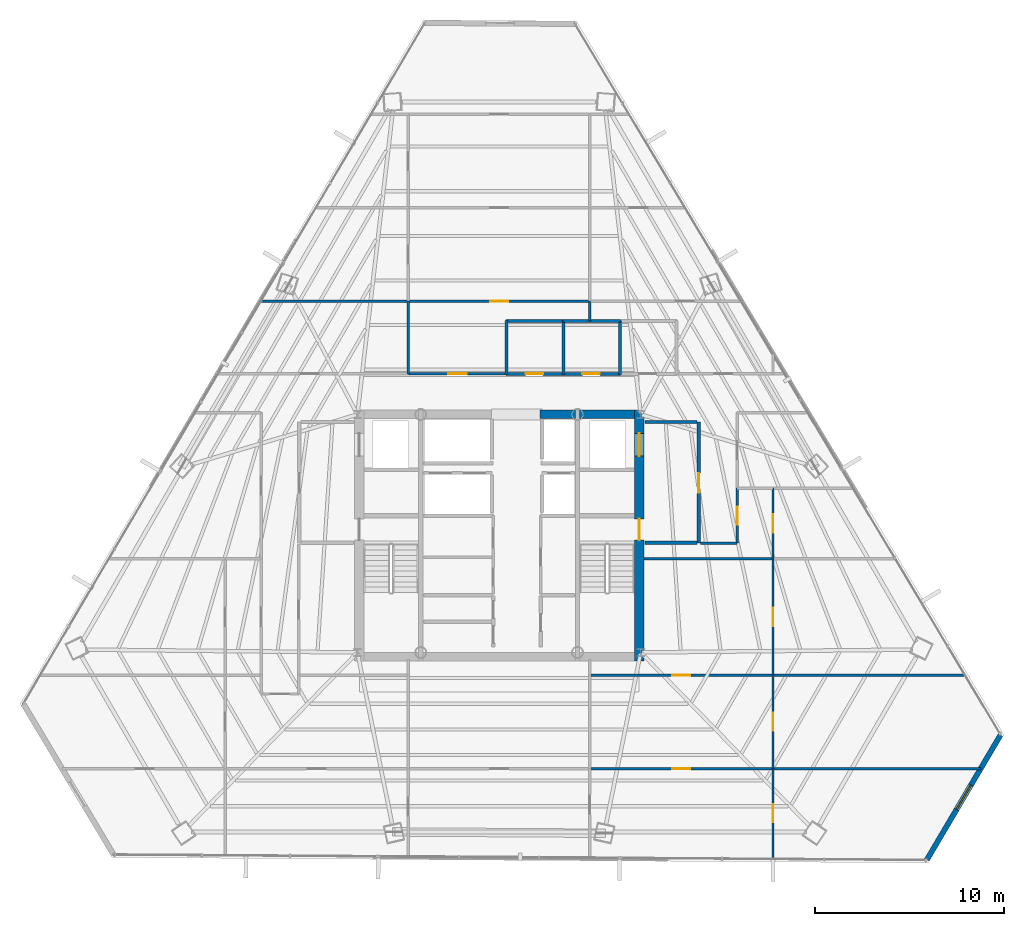
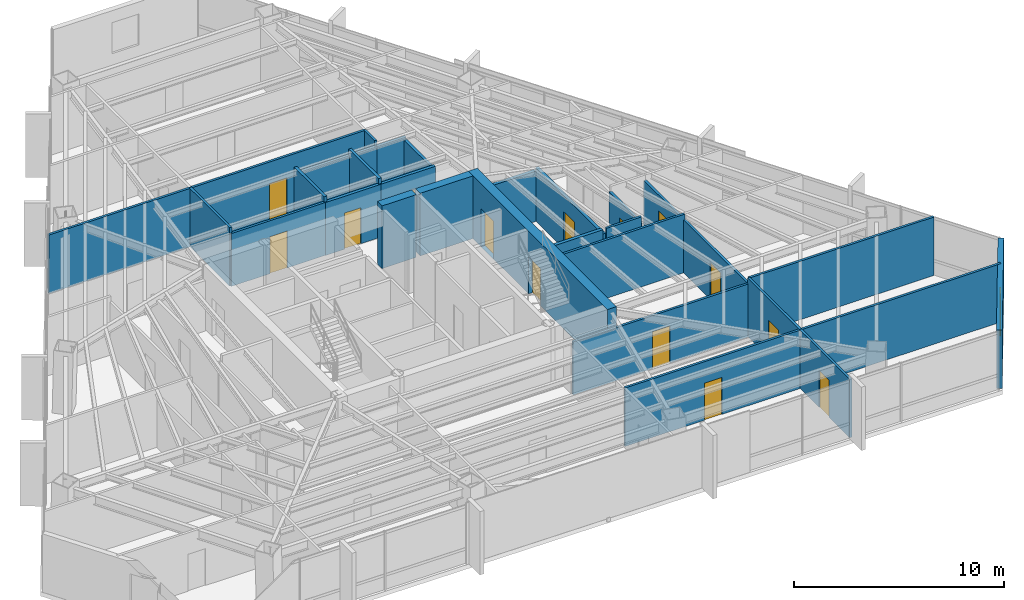
# One storey, part 37 of 41: 31 walls, 14 doors, 1 window, 15 openings.
"""IFC4 building model written with IfcOpenShell, lengths in metres."""

from ifc_helpers import new_model, si_unit, direction, frame, frame_2d, origin, place, context, subcontext, project, spatial, rectangle, extrude, material, layer, layer_set, type_object, element, fill, save


model = new_model("IFC4")

# Units and contexts
model_context = context("Model", 3, precision=1e-05, world=origin(), true_north=direction((0.0, 1.0)))
body_context = subcontext(model_context, "Body", "Model", "MODEL_VIEW")
ifc_project = project(units=[si_unit("LENGTHUNIT", "METRE"), si_unit("AREAUNIT", "SQUARE_METRE"), si_unit("VOLUMEUNIT", "CUBIC_METRE"), si_unit("PLANEANGLEUNIT", "RADIAN"), si_unit("MASSUNIT", "GRAM", prefix="KILO")], contexts=[model_context])

# Site, building, storey
site_placement = place(None, origin())
site = spatial("IfcSite", under=ifc_project, at=site_placement, CompositionType="ELEMENT")
building_placement = place(site_placement, origin())
building = spatial("IfcBuilding", under=site, at=building_placement, Name="Caelisora Broadcast Tower", CompositionType="ELEMENT")
storey_placement = place(building_placement, frame((0.0, 0.0, 180.39990234375)))
storey = spatial("IfcBuildingStorey", under=building, at=storey_placement, Name="L47", CompositionType="ELEMENT", Elevation=180.39990234375)

# Wall, openings, doors
ifc_material_1 = material(Name="Concrete 50 MPa (AS 3600 S50)", Category="concrete")
ifc_layer_1 = layer(ifc_material_1, 0.5, Name="Concrete 50 MPa (AS 3600 S50)")
ifc_layer_set_1 = layer_set([ifc_layer_1], Name="Concrete 50 MPa (AS 3600 S50)")
wall_type_1 = type_object("IfcWallType", Name="CW2", PredefinedType="SHEAR", material=ifc_layer_set_1)
wall_1_placement = place(storey_placement, frame((45.409912109375, 16.949951171875, 0.0), z_axis=(0.0, 0.0, 1.0), x_axis=(0.0, 1.0, 0.0)))
wall_1 = element("IfcWall", 1, at=wall_1_placement, inside=storey, type_object=wall_type_1, Name="L47 core shear wall CW2", PredefinedType="SHEAR", context=body_context, shape_type="SweptSolid", body=[
    extrude(rectangle(XDim=13.275146484375, YDim=0.5, at=frame_2d((6.6376953125, 0.0))), origin(), (0.0, 0.0, 1.0), 3.650146484375),
])
opening_1_placement = place(wall_1_placement, frame((6.39990234375, 0.0, 0.0)))
opening_1 = element("IfcOpeningElement", 2, at=opening_1_placement, cuts=wall_1, Name="Opening FD04", PredefinedType="OPENING", context=body_context, shape_type="SweptSolid", body=[
    extrude(rectangle(XDim=1.1201171875, YDim=2.14990234375, at=frame_2d((0.56005859375, 1.074951171875))), frame((0.0, 0.261962890625, 0.0), z_axis=(0.0, -1.0, 0.0), x_axis=(1.0, 0.0, 0.0)), (0.0, 0.0, 1.0), 0.52392578125),
])
opening_2_placement = place(wall_1_placement, frame((10.85009765625, 0.0, 0.0)))
opening_2 = element("IfcOpeningElement", 3, at=opening_2_placement, cuts=wall_1, Name="Opening LD04", PredefinedType="OPENING", context=body_context, shape_type="SweptSolid", body=[
    extrude(rectangle(XDim=1.199951171875, YDim=2.199951171875, at=frame_2d((0.60009765625, 1.10009765625))), frame((0.0, 0.261962890625, 0.0), z_axis=(0.0, -1.0, 0.0), x_axis=(1.0, 0.0, 0.0)), (0.0, 0.0, 1.0), 0.52392578125),
])
ifc_material_2 = material(Name="Pressurised Fire-Isolated Stair Door", Category="steel")
door_type_1 = type_object("IfcDoorType", Name="FD04", OperationType="NOTDEFINED", PredefinedType="DOOR", material=ifc_material_2)
door_1_placement = place(opening_1_placement, origin())
door_1 = element("IfcDoor", 4, at=door_1_placement, inside=storey, type_object=door_type_1, Name="L47 door FD04 (L47-DR-ST2)", OperationType="SINGLE_SWING_RIGHT", OverallHeight=2.14990234375, OverallWidth=1.1201171875, PredefinedType="DOOR", context=body_context, shape_type="SweptSolid", body=[
    extrude(rectangle(XDim=1.1201171875, YDim=2.14990234375, at=frame_2d((0.56005859375, 1.074951171875))), frame((0.0, 0.02490234375, 0.0), z_axis=(0.0, -1.0, 0.0), x_axis=(1.0, 0.0, 0.0)), (0.0, 0.0, 1.0), 0.050048828125),
])
fill(opening_1, door_1)
ifc_material_3 = material(Name="Emergency Firefighting Lift Sliding Landing Door", Category="steel")
door_type_2 = type_object("IfcDoorType", Name="LD04", OperationType="NOTDEFINED", PredefinedType="DOOR", material=ifc_material_3)
door_2_placement = place(opening_2_placement, origin())
door_2 = element("IfcDoor", 5, at=door_2_placement, inside=storey, type_object=door_type_2, Name="L47 door LD04 (L47-LD-FFL2)", OperationType="SLIDING_TO_RIGHT", OverallHeight=2.199951171875, OverallWidth=1.199951171875, PredefinedType="DOOR", context=body_context, shape_type="SweptSolid", body=[
    extrude(rectangle(XDim=1.199951171875, YDim=2.199951171875, at=frame_2d((0.60009765625, 1.10009765625))), frame((0.0, 0.02490234375, 0.0), z_axis=(0.0, -1.0, 0.0), x_axis=(1.0, 0.0, 0.0)), (0.0, 0.0, 1.0), 0.050048828125),
])
fill(opening_2, door_2)

# Walls
ifc_layer_2 = layer(ifc_material_1, 0.449951171875, Name="Concrete 50 MPa (AS 3600 S50)")
ifc_layer_set_2 = layer_set([ifc_layer_2], Name="Concrete 50 MPa (AS 3600 S50)")
wall_type_2 = type_object("IfcWallType", Name="CW5", PredefinedType="SHEAR", material=ifc_layer_set_2)
wall_2_placement = place(storey_placement, frame((40.159912109375, 30.0, 0.0), z_axis=(0.0, 0.0, 1.0), x_axis=(1.0, 0.0, 0.0)))
element("IfcWall", 6, at=wall_2_placement, inside=storey, type_object=wall_type_2, Name="L47 core shear wall CW5", PredefinedType="SHEAR", context=body_context, shape_type="SweptSolid", body=[
    extrude(rectangle(XDim=1.880126953125, YDim=0.449951171875, at=frame_2d((0.93994140625, 0.0))), origin(), (0.0, 0.0, 1.0), 3.650146484375),
])
wall_3_placement = place(storey_placement, frame((42.260009765625, 30.0, 0.0), z_axis=(0.0, 0.0, 1.0), x_axis=(1.0, 0.0, 0.0)))
element("IfcWall", 7, at=wall_3_placement, inside=storey, type_object=wall_type_2, Name="L47 core shear wall CW5", PredefinedType="SHEAR", context=body_context, shape_type="SweptSolid", body=[
    extrude(rectangle(XDim=2.89990234375, YDim=0.449951171875, at=frame_2d((1.449951171875, 0.0))), origin(), (0.0, 0.0, 1.0), 3.650146484375),
])

# Wall, opening, window
ifc_material_4 = material(Name="Insulated Terracotta Spandrel Wall System", Category="masonry")
ifc_layer_3 = layer(ifc_material_4, 0.280029296875, Name="Insulated Terracotta Spandrel Wall System")
ifc_layer_set_3 = layer_set([ifc_layer_3], Name="Insulated Terracotta Spandrel Wall System")
wall_type_3 = type_object("IfcWallType", Name="EW1", PredefinedType="STANDARD", material=ifc_layer_set_3)
wall_4_placement = place(storey_placement, frame((64.541748046875, 13.019287109375, 0.0), z_axis=(0.0, 0.0, 1.0), x_axis=(-0.508178690763, -0.861251657911, 0.0)))
wall_4 = element("IfcWall", 8, at=wall_4_placement, inside=storey, type_object=wall_type_3, Name="L47 exterior envelope wall EW1", PredefinedType="STANDARD", context=body_context, shape_type="SweptSolid", body=[
    extrude(rectangle(XDim=7.649658203125, YDim=0.280029296875, at=frame_2d((3.82470703125, 0.0))), origin(), (0.0, 0.0, 1.0), 3.400146484375),
])
opening_3_placement = place(wall_4_placement, frame((3.070068359375, 0.0, 0.89990234375)))
opening_3 = element("IfcOpeningElement", 9, at=opening_3_placement, cuts=wall_4, Name="Opening W02", PredefinedType="OPENING", context=body_context, shape_type="SweptSolid", body=[
    extrude(rectangle(XDim=1.5, YDim=1.800048828125, at=frame_2d((0.75, 0.89990234375))), frame((0.0, 0.152099609375, 0.0), z_axis=(0.0, -1.0, 0.0), x_axis=(1.0, 0.0, 0.0)), (0.0, 0.0, 1.0), 0.303955078125),
])
ifc_material_5 = material(Name="Double Glazed Terracotta-Framed Vision Window", Category="glass")
window_type = type_object("IfcWindowType", Name="W02", PartitioningType="SINGLE_PANEL", PredefinedType="WINDOW", material=ifc_material_5)
window_placement = place(opening_3_placement, origin())
window = element("IfcWindow", 10, at=window_placement, inside=storey, type_object=window_type, Name="L47 window W02 (L47-WN-CH0)", OverallHeight=1.800048828125, OverallWidth=1.5, PartitioningType="SINGLE_PANEL", PredefinedType="WINDOW", context=body_context, shape_type="SweptSolid", body=[
    extrude(rectangle(XDim=1.5, YDim=1.800048828125, at=frame_2d((0.75, 0.89990234375))), frame((0.0, 0.030029296875, 0.0), z_axis=(0.0, -1.0, 0.0), x_axis=(1.0, 0.0, 0.0)), (0.0, 0.0, 1.0), 0.06005859375),
])
fill(opening_3, window)

# Wall, opening, door
ifc_material_6 = material(Name="Fire-Rated Gypsum Shaft and Compartment Wall", Category="gypsum")
ifc_layer_4 = layer(ifc_material_6, 0.179931640625, Name="Fire-Rated Gypsum Shaft and Compartment Wall")
ifc_layer_set_4 = layer_set([ifc_layer_4], Name="Fire-Rated Gypsum Shaft and Compartment Wall")
wall_type_4 = type_object("IfcWallType", Name="PW2", PredefinedType="PARTITIONING", material=ifc_layer_set_4)
wall_5_placement = place(storey_placement, frame((48.580078125, 23.199951171875, 0.0), z_axis=(0.0, 0.0, 1.0), x_axis=(0.0, 1.0, 0.0)))
wall_5 = element("IfcWall", 11, at=wall_5_placement, inside=storey, type_object=wall_type_4, Name="L47 fire compartment wall PW2", PredefinedType="PARTITIONING", context=body_context, shape_type="SweptSolid", body=[
    extrude(rectangle(XDim=6.400146484375, YDim=0.179931640625, at=frame_2d((3.2001953125, 0.0))), origin(), (0.0, 0.0, 1.0), 3.077880859375),
])
opening_4_placement = place(wall_5_placement, frame((2.64990234375, 0.0, 0.0)))
opening_4 = element("IfcOpeningElement", 12, at=opening_4_placement, cuts=wall_5, Name="Opening FD02", PredefinedType="OPENING", context=body_context, shape_type="SweptSolid", body=[
    extrude(rectangle(XDim=1.050048828125, YDim=2.14990234375, at=frame_2d((0.52490234375, 1.074951171875))), frame((0.0, 0.10205078125, 0.0), z_axis=(0.0, -1.0, 0.0), x_axis=(1.0, 0.0, 0.0)), (0.0, 0.0, 1.0), 0.203857421875),
])
ifc_material_7 = material(Name="Single-Leaf Steel Fire Lobby Door", Category="steel")
door_type_3 = type_object("IfcDoorType", Name="FD02", OperationType="NOTDEFINED", PredefinedType="DOOR", material=ifc_material_7)
door_3_placement = place(opening_4_placement, origin())
door_3 = element("IfcDoor", 13, at=door_3_placement, inside=storey, type_object=door_type_3, Name="L47 door FD02 (L47-DR-P04D1)", OperationType="SINGLE_SWING_RIGHT", OverallHeight=2.14990234375, OverallWidth=1.050048828125, PredefinedType="DOOR", context=body_context, shape_type="SweptSolid", body=[
    extrude(rectangle(XDim=1.050048828125, YDim=2.14990234375, at=frame_2d((0.52490234375, 1.074951171875))), frame((0.0, 0.02490234375, 0.0), z_axis=(0.0, -1.0, 0.0), x_axis=(1.0, 0.0, 0.0)), (0.0, 0.0, 1.0), 0.050048828125),
])
fill(opening_4, door_3)

# Walls
wall_6_placement = place(storey_placement, frame((45.719970703125, 23.199951171875, 0.0), z_axis=(0.0, 0.0, 1.0), x_axis=(1.0, 0.0, 0.0)))
element("IfcWall", 14, at=wall_6_placement, inside=storey, type_object=wall_type_4, Name="L47 fire compartment wall PW2", PredefinedType="PARTITIONING", context=body_context, shape_type="SweptSolid", body=[
    extrude(rectangle(XDim=2.760009765625, YDim=0.179931640625, at=frame_2d((1.3798828125, 0.0))), origin(), (0.0, 0.0, 1.0), 3.400146484375),
])
wall_7_placement = place(storey_placement, frame((45.719970703125, 29.60009765625, 0.0), z_axis=(0.0, 0.0, 1.0), x_axis=(1.0, 0.0, 0.0)))
element("IfcWall", 15, at=wall_7_placement, inside=storey, type_object=wall_type_4, Name="L47 fire compartment wall PW2", PredefinedType="PARTITIONING", context=body_context, shape_type="SweptSolid", body=[
    extrude(rectangle(XDim=2.760009765625, YDim=0.179931640625, at=frame_2d((1.3798828125, 0.0))), origin(), (0.0, 0.0, 1.0), 2.9248046875),
])
ifc_material_8 = material(Name="Acoustic Steel-Stud Plasterboard Partition", Category="gypsum")
ifc_layer_5 = layer(ifc_material_8, 0.1298828125, Name="Acoustic Steel-Stud Plasterboard Partition")
ifc_layer_set_5 = layer_set([ifc_layer_5], Name="Acoustic Steel-Stud Plasterboard Partition")
wall_type_5 = type_object("IfcWallType", Name="PW3", PredefinedType="PARTITIONING", material=ifc_layer_set_5)
wall_8_placement = place(storey_placement, frame((52.5048828125, 11.25, 0.0), z_axis=(0.0, 0.0, 1.0), x_axis=(1.0, 0.0, 0.0)))
element("IfcWall", 16, at=wall_8_placement, inside=storey, type_object=wall_type_5, Name="L47 internal partition PW3", PredefinedType="PARTITIONING", context=body_context, shape_type="SweptSolid", body=[
    extrude(rectangle(XDim=10.998291015625, YDim=0.1298828125, at=frame_2d((5.4990234375, 0.0))), origin(), (0.0, 0.0, 1.0), 3.400146484375),
])
wall_9_placement = place(storey_placement, frame((52.5048828125, 16.199951171875, 0.0), z_axis=(0.0, 0.0, 1.0), x_axis=(1.0, 0.0, 0.0)))
element("IfcWall", 17, at=wall_9_placement, inside=storey, type_object=wall_type_5, Name="L47 internal partition PW3", PredefinedType="PARTITIONING", context=body_context, shape_type="SweptSolid", body=[
    extrude(rectangle(XDim=10.168212890625, YDim=0.1298828125, at=frame_2d((5.083984375, 0.0))), origin(), (0.0, 0.0, 1.0), 3.400146484375),
])

# Wall, opening, door
wall_10_placement = place(storey_placement, frame((42.804931640625, 11.25, 0.0), z_axis=(0.0, 0.0, 1.0), x_axis=(1.0, 0.0, 0.0)))
wall_10 = element("IfcWall", 18, at=wall_10_placement, inside=storey, type_object=wall_type_5, Name="L47 internal partition PW3", PredefinedType="PARTITIONING", context=body_context, shape_type="SweptSolid", body=[
    extrude(rectangle(XDim=9.690185546875, YDim=0.1298828125, at=frame_2d((4.84521484375, 0.0))), origin(), (0.0, 0.0, 1.0), 3.400146484375),
])
opening_5_placement = place(wall_10_placement, frame((4.364990234375, 0.0, 0.0)))
opening_5 = element("IfcOpeningElement", 19, at=opening_5_placement, cuts=wall_10, Name="Opening D01", PredefinedType="OPENING", context=body_context, shape_type="SweptSolid", body=[
    extrude(rectangle(XDim=0.9599609375, YDim=2.14990234375, at=frame_2d((0.47998046875, 1.074951171875))), frame((0.0, 0.076904296875, 0.0), z_axis=(0.0, -1.0, 0.0), x_axis=(1.0, 0.0, 0.0)), (0.0, 0.0, 1.0), 0.15380859375),
])
ifc_material_9 = material(Name="Solid-Core Timber Acoustic Office Door", Category="wood")
door_type_4 = type_object("IfcDoorType", Name="D01", OperationType="NOTDEFINED", PredefinedType="DOOR", material=ifc_material_9)
door_4_placement = place(opening_5_placement, origin())
door_4 = element("IfcDoor", 20, at=door_4_placement, inside=storey, type_object=door_type_4, Name="L47 door D01 (L47-DR-P34D1)", OperationType="SINGLE_SWING_RIGHT", OverallHeight=2.14990234375, OverallWidth=0.9599609375, PredefinedType="DOOR", context=body_context, shape_type="SweptSolid", body=[
    extrude(rectangle(XDim=0.9599609375, YDim=2.14990234375, at=frame_2d((0.47998046875, 1.074951171875))), frame((0.0, 0.02490234375, 0.0), z_axis=(0.0, -1.0, 0.0), x_axis=(1.0, 0.0, 0.0)), (0.0, 0.0, 1.0), 0.050048828125),
])
fill(opening_5, door_4)

wall_11_placement = place(storey_placement, frame((42.804931640625, 16.199951171875, 0.0), z_axis=(0.0, 0.0, 1.0), x_axis=(1.0, 0.0, 0.0)))
wall_11 = element("IfcWall", 21, at=wall_11_placement, inside=storey, type_object=wall_type_5, Name="L47 internal partition PW3", PredefinedType="PARTITIONING", context=body_context, shape_type="SweptSolid", body=[
    extrude(rectangle(XDim=9.690185546875, YDim=0.1298828125, at=frame_2d((4.84521484375, 0.0))), origin(), (0.0, 0.0, 1.0), 3.077880859375),
])
opening_6_placement = place(wall_11_placement, frame((4.364990234375, 0.0, 0.0)))
opening_6 = element("IfcOpeningElement", 22, at=opening_6_placement, cuts=wall_11, Name="Opening D01", PredefinedType="OPENING", context=body_context, shape_type="SweptSolid", body=[
    extrude(rectangle(XDim=0.9599609375, YDim=2.14990234375, at=frame_2d((0.47998046875, 1.074951171875))), frame((0.0, 0.076904296875, 0.0), z_axis=(0.0, -1.0, 0.0), x_axis=(1.0, 0.0, 0.0)), (0.0, 0.0, 1.0), 0.15380859375),
])
door_5_placement = place(opening_6_placement, origin())
door_5 = element("IfcDoor", 23, at=door_5_placement, inside=storey, type_object=door_type_4, Name="L47 door D01 (L47-DR-P35D1)", OperationType="SINGLE_SWING_LEFT", OverallHeight=2.14990234375, OverallWidth=0.9599609375, PredefinedType="DOOR", context=body_context, shape_type="SweptSolid", body=[
    extrude(rectangle(XDim=0.9599609375, YDim=2.14990234375, at=frame_2d((0.47998046875, 1.074951171875))), frame((0.0, 0.02490234375, 0.0), z_axis=(0.0, -1.0, 0.0), x_axis=(1.0, 0.0, 0.0)), (0.0, 0.0, 1.0), 0.050048828125),
])
fill(opening_6, door_5)

wall_12_placement = place(storey_placement, frame((33.205078125, 35.989990234375, 0.0), z_axis=(0.0, 0.0, 1.0), x_axis=(1.0, 0.0, 0.0)))
wall_12 = element("IfcWall", 24, at=wall_12_placement, inside=storey, type_object=wall_type_5, Name="L47 internal partition PW3", PredefinedType="PARTITIONING", context=body_context, shape_type="SweptSolid", body=[
    extrude(rectangle(XDim=9.58984375, YDim=0.1298828125, at=frame_2d((4.794921875, 0.0))), origin(), (0.0, 0.0, 1.0), 3.400146484375),
])
opening_7_placement = place(wall_12_placement, frame((4.31494140625, 0.0, 0.0)))
opening_7 = element("IfcOpeningElement", 25, at=opening_7_placement, cuts=wall_12, Name="Opening D01", PredefinedType="OPENING", context=body_context, shape_type="SweptSolid", body=[
    extrude(rectangle(XDim=0.9599609375, YDim=2.14990234375, at=frame_2d((0.47998046875, 1.074951171875))), frame((0.0, 0.076904296875, 0.0), z_axis=(0.0, -1.0, 0.0), x_axis=(1.0, 0.0, 0.0)), (0.0, 0.0, 1.0), 0.15380859375),
])
door_6_placement = place(opening_7_placement, origin())
door_6 = element("IfcDoor", 26, at=door_6_placement, inside=storey, type_object=door_type_4, Name="L47 door D01 (L47-DR-P39D1)", OperationType="SINGLE_SWING_LEFT", OverallHeight=2.14990234375, OverallWidth=0.9599609375, PredefinedType="DOOR", context=body_context, shape_type="SweptSolid", body=[
    extrude(rectangle(XDim=0.9599609375, YDim=2.14990234375, at=frame_2d((0.47998046875, 1.074951171875))), frame((0.0, 0.02490234375, 0.0), z_axis=(0.0, -1.0, 0.0), x_axis=(1.0, 0.0, 0.0)), (0.0, 0.0, 1.0), 0.050048828125),
])
fill(opening_7, door_6)

# Walls
wall_13_placement = place(storey_placement, frame((25.37548828125, 35.989990234375, 0.0), z_axis=(0.0, 0.0, 1.0), x_axis=(1.0, 0.0, 0.0)))
element("IfcWall", 27, at=wall_13_placement, inside=storey, type_object=wall_type_5, Name="L47 internal partition PW3", PredefinedType="PARTITIONING", context=body_context, shape_type="SweptSolid", body=[
    extrude(rectangle(XDim=7.819580078125, YDim=0.1298828125, at=frame_2d((3.90966796875, 0.0))), origin(), (0.0, 0.0, 1.0), 3.400146484375),
])
wall_14_placement = place(storey_placement, frame((45.675048828125, 22.35009765625, 0.0), z_axis=(0.0, 0.0, 1.0), x_axis=(1.0, 0.0, 0.0)))
element("IfcWall", 28, at=wall_14_placement, inside=storey, type_object=wall_type_5, Name="L47 internal partition PW3", PredefinedType="PARTITIONING", context=body_context, shape_type="SweptSolid", body=[
    extrude(rectangle(XDim=6.820068359375, YDim=0.1298828125, at=frame_2d((3.41015625, 0.0))), origin(), (0.0, 0.0, 1.0), 3.400146484375),
])

# Wall, opening, door
wall_15_placement = place(storey_placement, frame((52.5, 16.205078125, 0.0), z_axis=(0.0, 0.0, 1.0), x_axis=(0.0, 1.0, 0.0)))
wall_15 = element("IfcWall", 29, at=wall_15_placement, inside=storey, type_object=wall_type_5, Name="L47 internal partition PW3", PredefinedType="PARTITIONING", context=body_context, shape_type="SweptSolid", body=[
    extrude(rectangle(XDim=6.139892578125, YDim=0.1298828125, at=frame_2d((3.06982421875, 0.0))), origin(), (0.0, 0.0, 1.0), 3.077880859375),
])
opening_8_placement = place(wall_15_placement, frame((2.590087890625, 0.0, 0.0)))
opening_8 = element("IfcOpeningElement", 30, at=opening_8_placement, cuts=wall_15, Name="Opening D01", PredefinedType="OPENING", context=body_context, shape_type="SweptSolid", body=[
    extrude(rectangle(XDim=0.9599609375, YDim=2.14990234375, at=frame_2d((0.47998046875, 1.074951171875))), frame((0.0, 0.076904296875, 0.0), z_axis=(0.0, -1.0, 0.0), x_axis=(1.0, 0.0, 0.0)), (0.0, 0.0, 1.0), 0.15380859375),
])
door_7_placement = place(opening_8_placement, origin())
door_7 = element("IfcDoor", 31, at=door_7_placement, inside=storey, type_object=door_type_4, Name="L47 door D01 (L47-DR-P51D1)", OperationType="SINGLE_SWING_RIGHT", OverallHeight=2.14990234375, OverallWidth=0.9599609375, PredefinedType="DOOR", context=body_context, shape_type="SweptSolid", body=[
    extrude(rectangle(XDim=0.9599609375, YDim=2.14990234375, at=frame_2d((0.47998046875, 1.074951171875))), frame((0.0, 0.02490234375, 0.0), z_axis=(0.0, -1.0, 0.0), x_axis=(1.0, 0.0, 0.0)), (0.0, 0.0, 1.0), 0.050048828125),
])
fill(opening_8, door_7)

wall_16_placement = place(storey_placement, frame((33.205078125, 32.14990234375, 0.0), z_axis=(0.0, 0.0, 1.0), x_axis=(1.0, 0.0, 0.0)))
wall_16 = element("IfcWall", 32, at=wall_16_placement, inside=storey, type_object=wall_type_5, Name="L47 internal partition PW3", PredefinedType="PARTITIONING", context=body_context, shape_type="SweptSolid", body=[
    extrude(rectangle(XDim=5.18994140625, YDim=0.1298828125, at=frame_2d((2.594970703125, 0.0))), origin(), (0.0, 0.0, 1.0), 3.077880859375),
])
opening_9_placement = place(wall_16_placement, frame((2.114990234375, 0.0, 0.0)))
opening_9 = element("IfcOpeningElement", 33, at=opening_9_placement, cuts=wall_16, Name="Opening D01", PredefinedType="OPENING", context=body_context, shape_type="SweptSolid", body=[
    extrude(rectangle(XDim=0.9599609375, YDim=2.14990234375, at=frame_2d((0.47998046875, 1.074951171875))), frame((0.0, 0.076904296875, 0.0), z_axis=(0.0, -1.0, 0.0), x_axis=(1.0, 0.0, 0.0)), (0.0, 0.0, 1.0), 0.15380859375),
])
door_8_placement = place(opening_9_placement, origin())
door_8 = element("IfcDoor", 34, at=door_8_placement, inside=storey, type_object=door_type_4, Name="L47 door D01 (L47-DR-P53D1)", OperationType="SINGLE_SWING_LEFT", OverallHeight=2.14990234375, OverallWidth=0.9599609375, PredefinedType="DOOR", context=body_context, shape_type="SweptSolid", body=[
    extrude(rectangle(XDim=0.9599609375, YDim=2.14990234375, at=frame_2d((0.47998046875, 1.074951171875))), frame((0.0, 0.02490234375, 0.0), z_axis=(0.0, -1.0, 0.0), x_axis=(1.0, 0.0, 0.0)), (0.0, 0.0, 1.0), 0.050048828125),
])
fill(opening_9, door_8)

wall_17_placement = place(storey_placement, frame((52.5, 11.2548828125, 0.0), z_axis=(0.0, 0.0, 1.0), x_axis=(0.0, 1.0, 0.0)))
wall_17 = element("IfcWall", 35, at=wall_17_placement, inside=storey, type_object=wall_type_5, Name="L47 internal partition PW3", PredefinedType="PARTITIONING", context=body_context, shape_type="SweptSolid", body=[
    extrude(rectangle(XDim=4.940185546875, YDim=0.1298828125, at=frame_2d((2.47021484375, 0.0))), origin(), (0.0, 0.0, 1.0), 3.400146484375),
])
opening_10_placement = place(wall_17_placement, frame((1.989990234375, 0.0, 0.0)))
opening_10 = element("IfcOpeningElement", 36, at=opening_10_placement, cuts=wall_17, Name="Opening D01", PredefinedType="OPENING", context=body_context, shape_type="SweptSolid", body=[
    extrude(rectangle(XDim=0.9599609375, YDim=2.14990234375, at=frame_2d((0.47998046875, 1.074951171875))), frame((0.0, 0.076904296875, 0.0), z_axis=(0.0, -1.0, 0.0), x_axis=(1.0, 0.0, 0.0)), (0.0, 0.0, 1.0), 0.15380859375),
])
door_9_placement = place(opening_10_placement, origin())
door_9 = element("IfcDoor", 37, at=door_9_placement, inside=storey, type_object=door_type_4, Name="L47 door D01 (L47-DR-P62D1)", OperationType="SINGLE_SWING_RIGHT", OverallHeight=2.14990234375, OverallWidth=0.9599609375, PredefinedType="DOOR", context=body_context, shape_type="SweptSolid", body=[
    extrude(rectangle(XDim=0.9599609375, YDim=2.14990234375, at=frame_2d((0.47998046875, 1.074951171875))), frame((0.0, 0.02490234375, 0.0), z_axis=(0.0, -1.0, 0.0), x_axis=(1.0, 0.0, 0.0)), (0.0, 0.0, 1.0), 0.050048828125),
])
fill(opening_10, door_9)

wall_18_placement = place(storey_placement, frame((52.5, 6.453857421875, 0.0), z_axis=(0.0, 0.0, 1.0), x_axis=(0.0, 1.0, 0.0)))
wall_18 = element("IfcWall", 38, at=wall_18_placement, inside=storey, type_object=wall_type_5, Name="L47 internal partition PW3", PredefinedType="PARTITIONING", context=body_context, shape_type="SweptSolid", body=[
    extrude(rectangle(XDim=4.791259765625, YDim=0.1298828125, at=frame_2d((2.3955078125, 0.0))), origin(), (0.0, 0.0, 1.0), 3.400146484375),
])
opening_11_placement = place(wall_18_placement, frame((1.9619140625, 0.0, 0.0)))
opening_11 = element("IfcOpeningElement", 39, at=opening_11_placement, cuts=wall_18, Name="Opening D01", PredefinedType="OPENING", context=body_context, shape_type="SweptSolid", body=[
    extrude(rectangle(XDim=0.9599609375, YDim=2.14990234375, at=frame_2d((0.47998046875, 1.074951171875))), frame((0.0, 0.076904296875, 0.0), z_axis=(0.0, -1.0, 0.0), x_axis=(1.0, 0.0, 0.0)), (0.0, 0.0, 1.0), 0.15380859375),
])
door_10_placement = place(opening_11_placement, origin())
door_10 = element("IfcDoor", 40, at=door_10_placement, inside=storey, type_object=door_type_4, Name="L47 door D01 (L47-DR-P65D1)", OperationType="SINGLE_SWING_RIGHT", OverallHeight=2.14990234375, OverallWidth=0.9599609375, PredefinedType="DOOR", context=body_context, shape_type="SweptSolid", body=[
    extrude(rectangle(XDim=0.9599609375, YDim=2.14990234375, at=frame_2d((0.47998046875, 1.074951171875))), frame((0.0, 0.02490234375, 0.0), z_axis=(0.0, -1.0, 0.0), x_axis=(1.0, 0.0, 0.0)), (0.0, 0.0, 1.0), 0.050048828125),
])
fill(opening_11, door_10)

# Wall
wall_19_placement = place(storey_placement, frame((33.199951171875, 32.155029296875, 0.0), z_axis=(0.0, 0.0, 1.0), x_axis=(0.0, 1.0, 0.0)))
element("IfcWall", 41, at=wall_19_placement, inside=storey, type_object=wall_type_5, Name="L47 internal partition PW3", PredefinedType="PARTITIONING", context=body_context, shape_type="SweptSolid", body=[
    extrude(rectangle(XDim=3.830078125, YDim=0.1298828125, at=frame_2d((1.9150390625, 0.0))), origin(), (0.0, 0.0, 1.0), 3.400146484375),
])

# Wall, opening, door
wall_20_placement = place(storey_placement, frame((52.5, 22.35498046875, 0.0), z_axis=(0.0, 0.0, 1.0), x_axis=(0.0, 1.0, 0.0)))
wall_20 = element("IfcWall", 42, at=wall_20_placement, inside=storey, type_object=wall_type_5, Name="L47 internal partition PW3", PredefinedType="PARTITIONING", context=body_context, shape_type="SweptSolid", body=[
    extrude(rectangle(XDim=3.739990234375, YDim=0.1298828125, at=frame_2d((1.8701171875, 0.0))), origin(), (0.0, 0.0, 1.0), 3.077880859375),
])
opening_12_placement = place(wall_20_placement, frame((1.389892578125, 0.0, 0.0)))
opening_12 = element("IfcOpeningElement", 43, at=opening_12_placement, cuts=wall_20, Name="Opening D01", PredefinedType="OPENING", context=body_context, shape_type="SweptSolid", body=[
    extrude(rectangle(XDim=0.9599609375, YDim=2.14990234375, at=frame_2d((0.47998046875, 1.074951171875))), frame((0.0, 0.076904296875, 0.0), z_axis=(0.0, -1.0, 0.0), x_axis=(1.0, 0.0, 0.0)), (0.0, 0.0, 1.0), 0.15380859375),
])
door_11_placement = place(opening_12_placement, origin())
door_11 = element("IfcDoor", 44, at=door_11_placement, inside=storey, type_object=door_type_4, Name="L47 door D01 (L47-DR-P73D1)", OperationType="SINGLE_SWING_RIGHT", OverallHeight=2.14990234375, OverallWidth=0.9599609375, PredefinedType="DOOR", context=body_context, shape_type="SweptSolid", body=[
    extrude(rectangle(XDim=0.9599609375, YDim=2.14990234375, at=frame_2d((0.47998046875, 1.074951171875))), frame((0.0, 0.02490234375, 0.0), z_axis=(0.0, -1.0, 0.0), x_axis=(1.0, 0.0, 0.0)), (0.0, 0.0, 1.0), 0.050048828125),
])
fill(opening_12, door_11)

wall_21_placement = place(storey_placement, frame((50.60009765625, 23.18505859375, 0.0), z_axis=(0.0, 0.0, 1.0), x_axis=(0.0, 1.0, 0.0)))
wall_21 = element("IfcWall", 45, at=wall_21_placement, inside=storey, type_object=wall_type_5, Name="L47 internal partition PW3", PredefinedType="PARTITIONING", context=body_context, shape_type="SweptSolid", body=[
    extrude(rectangle(XDim=2.909912109375, YDim=0.1298828125, at=frame_2d((1.455078125, 0.0))), origin(), (0.0, 0.0, 1.0), 3.077880859375),
])
opening_13_placement = place(wall_21_placement, frame((0.97509765625, 0.0, 0.0)))
opening_13 = element("IfcOpeningElement", 46, at=opening_13_placement, cuts=wall_21, Name="Opening D01", PredefinedType="OPENING", context=body_context, shape_type="SweptSolid", body=[
    extrude(rectangle(XDim=0.9599609375, YDim=2.14990234375, at=frame_2d((0.47998046875, 1.074951171875))), frame((0.0, 0.076904296875, 0.0), z_axis=(0.0, -1.0, 0.0), x_axis=(1.0, 0.0, 0.0)), (0.0, 0.0, 1.0), 0.15380859375),
])
door_12_placement = place(opening_13_placement, origin())
door_12 = element("IfcDoor", 47, at=door_12_placement, inside=storey, type_object=door_type_4, Name="L47 door D01 (L47-DR-P75D1)", OperationType="SINGLE_SWING_LEFT", OverallHeight=2.14990234375, OverallWidth=0.9599609375, PredefinedType="DOOR", context=body_context, shape_type="SweptSolid", body=[
    extrude(rectangle(XDim=0.9599609375, YDim=2.14990234375, at=frame_2d((0.47998046875, 1.074951171875))), frame((0.0, 0.02490234375, 0.0), z_axis=(0.0, -1.0, 0.0), x_axis=(1.0, 0.0, 0.0)), (0.0, 0.0, 1.0), 0.050048828125),
])
fill(opening_13, door_12)

# Walls
wall_22_placement = place(storey_placement, frame((48.675048828125, 23.179931640625, 0.0), z_axis=(0.0, 0.0, 1.0), x_axis=(1.0, 0.0, 0.0)))
element("IfcWall", 48, at=wall_22_placement, inside=storey, type_object=wall_type_5, Name="L47 internal partition PW3", PredefinedType="PARTITIONING", context=body_context, shape_type="SweptSolid", body=[
    extrude(rectangle(XDim=1.919921875, YDim=0.1298828125, at=frame_2d((0.9599609375, 0.0))), origin(), (0.0, 0.0, 1.0), 3.400146484375),
])
wall_23_placement = place(storey_placement, frame((42.800048828125, 34.955078125, 0.0), z_axis=(0.0, 0.0, 1.0), x_axis=(0.0, 1.0, 0.0)))
element("IfcWall", 49, at=wall_23_placement, inside=storey, type_object=wall_type_5, Name="L47 internal partition PW3", PredefinedType="PARTITIONING", context=body_context, shape_type="SweptSolid", body=[
    extrude(rectangle(XDim=1.030029296875, YDim=0.1298828125, at=frame_2d((0.51513671875, 0.0))), origin(), (0.0, 0.0, 1.0), 3.400146484375),
])

# Wall, opening, door
ifc_material_10 = material(Name="Moisture-Resistant Wet Plumbing Service Wall", Category="gypsum")
ifc_layer_6 = layer(ifc_material_10, 0.159912109375, Name="Moisture-Resistant Wet Plumbing Service Wall")
ifc_layer_set_6 = layer_set([ifc_layer_6], Name="Moisture-Resistant Wet Plumbing Service Wall")
wall_type_6 = type_object("IfcWallType", Name="PW4", PredefinedType="PLUMBINGWALL", material=ifc_layer_set_6)
wall_24_placement = place(storey_placement, frame((38.375, 32.14990234375, 0.0), z_axis=(0.0, 0.0, 1.0), x_axis=(1.0, 0.0, 0.0)))
wall_24 = element("IfcWall", 50, at=wall_24_placement, inside=storey, type_object=wall_type_6, Name="L47 wet plumbing wall PW4", PredefinedType="PLUMBINGWALL", context=body_context, shape_type="SweptSolid", body=[
    extrude(rectangle(XDim=3.050048828125, YDim=0.159912109375, at=frame_2d((1.52490234375, 0.0))), origin(), (0.0, 0.0, 1.0), 3.077880859375),
])
opening_14_placement = place(wall_24_placement, frame((1.034912109375, 0.0, 0.0)))
opening_14 = element("IfcOpeningElement", 51, at=opening_14_placement, cuts=wall_24, Name="Opening D03", PredefinedType="OPENING", context=body_context, shape_type="SweptSolid", body=[
    extrude(rectangle(XDim=0.919921875, YDim=2.10009765625, at=frame_2d((0.4599609375, 1.050048828125))), frame((0.0, 0.092041015625, 0.0), z_axis=(0.0, -1.0, 0.0), x_axis=(1.0, 0.0, 0.0)), (0.0, 0.0, 1.0), 0.183837890625),
])
ifc_material_11 = material(Name="Laminate Moisture-Resistant Amenity WC Door", Category="wood")
door_type_5 = type_object("IfcDoorType", Name="D03", OperationType="NOTDEFINED", PredefinedType="DOOR", material=ifc_material_11)
door_13_placement = place(opening_14_placement, origin())
door_13 = element("IfcDoor", 52, at=door_13_placement, inside=storey, type_object=door_type_5, Name="L47 door D03 (L47-DR-P17D1)", OperationType="SINGLE_SWING_LEFT", OverallHeight=2.10009765625, OverallWidth=0.919921875, PredefinedType="DOOR", context=body_context, shape_type="SweptSolid", body=[
    extrude(rectangle(XDim=0.919921875, YDim=2.10009765625, at=frame_2d((0.4599609375, 1.050048828125))), frame((0.0, 0.02490234375, 0.0), z_axis=(0.0, -1.0, 0.0), x_axis=(1.0, 0.0, 0.0)), (0.0, 0.0, 1.0), 0.050048828125),
])
fill(opening_14, door_13)

wall_25_placement = place(storey_placement, frame((41.375, 32.14990234375, 0.0), z_axis=(0.0, 0.0, 1.0), x_axis=(1.0, 0.0, 0.0)))
wall_25 = element("IfcWall", 53, at=wall_25_placement, inside=storey, type_object=wall_type_6, Name="L47 wet plumbing wall PW4", PredefinedType="PLUMBINGWALL", context=body_context, shape_type="SweptSolid", body=[
    extrude(rectangle(XDim=3.050048828125, YDim=0.159912109375, at=frame_2d((1.52490234375, 0.0))), origin(), (0.0, 0.0, 1.0), 3.077880859375),
])
opening_15_placement = place(wall_25_placement, frame((1.034912109375, 0.0, 0.0)))
opening_15 = element("IfcOpeningElement", 54, at=opening_15_placement, cuts=wall_25, Name="Opening D03", PredefinedType="OPENING", context=body_context, shape_type="SweptSolid", body=[
    extrude(rectangle(XDim=0.919921875, YDim=2.10009765625, at=frame_2d((0.4599609375, 1.050048828125))), frame((0.0, 0.092041015625, 0.0), z_axis=(0.0, -1.0, 0.0), x_axis=(1.0, 0.0, 0.0)), (0.0, 0.0, 1.0), 0.183837890625),
])
door_14_placement = place(opening_15_placement, origin())
door_14 = element("IfcDoor", 55, at=door_14_placement, inside=storey, type_object=door_type_5, Name="L47 door D03 (L47-DR-P18D1)", OperationType="SINGLE_SWING_RIGHT", OverallHeight=2.10009765625, OverallWidth=0.919921875, PredefinedType="DOOR", context=body_context, shape_type="SweptSolid", body=[
    extrude(rectangle(XDim=0.919921875, YDim=2.10009765625, at=frame_2d((0.4599609375, 1.050048828125))), frame((0.0, 0.02490234375, 0.0), z_axis=(0.0, -1.0, 0.0), x_axis=(1.0, 0.0, 0.0)), (0.0, 0.0, 1.0), 0.050048828125),
])
fill(opening_15, door_14)

# Walls
wall_26_placement = place(storey_placement, frame((38.375, 34.949951171875, 0.0), z_axis=(0.0, 0.0, 1.0), x_axis=(1.0, 0.0, 0.0)))
element("IfcWall", 56, at=wall_26_placement, inside=storey, type_object=wall_type_6, Name="L47 wet plumbing wall PW4", PredefinedType="PLUMBINGWALL", context=body_context, shape_type="SweptSolid", body=[
    extrude(rectangle(XDim=3.050048828125, YDim=0.159912109375, at=frame_2d((1.52490234375, 0.0))), origin(), (0.0, 0.0, 1.0), 3.077880859375),
])
for number, where, z_axis, x_axis, name in (
    (57, (41.39990234375, 32.125, 0.0), (0.0, 0.0, 1.0), (0.0, 1.0, 0.0), "L47 wet plumbing wall PW4"),
    (58, (38.39990234375, 32.125, 0.0), (0.0, 0.0, 1.0), (0.0, 1.0, 0.0), "L47 wet plumbing wall PW4"),
):
    element("IfcWall", number, at=place(storey_placement, frame(where, z_axis=z_axis, x_axis=x_axis)), inside=storey, type_object=wall_type_6, Name=name, PredefinedType="PLUMBINGWALL", context=body_context, shape_type="SweptSolid", body=[
        extrude(rectangle(XDim=2.85009765625, YDim=0.159912109375, at=frame_2d((1.425048828125, 0.0))), origin(), (0.0, 0.0, 1.0), 3.400146484375),
    ])
wall_27_placement = place(storey_placement, frame((44.39990234375, 32.125, 0.0), z_axis=(0.0, 0.0, 1.0), x_axis=(0.0, 1.0, 0.0)))
element("IfcWall", 59, at=wall_27_placement, inside=storey, type_object=wall_type_6, Name="L47 wet plumbing wall PW4", PredefinedType="PLUMBINGWALL", context=body_context, shape_type="SweptSolid", body=[
    extrude(rectangle(XDim=2.85009765625, YDim=0.159912109375, at=frame_2d((1.425048828125, 0.0))), origin(), (0.0, 0.0, 1.0), 2.9248046875),
])
wall_28_placement = place(storey_placement, frame((42.77490234375, 34.949951171875, 0.0), z_axis=(0.0, 0.0, 1.0), x_axis=(1.0, 0.0, 0.0)))
element("IfcWall", 60, at=wall_28_placement, inside=storey, type_object=wall_type_6, Name="L47 wet plumbing wall PW4", PredefinedType="PLUMBINGWALL", context=body_context, shape_type="SweptSolid", body=[
    extrude(rectangle(XDim=1.650146484375, YDim=0.159912109375, at=frame_2d((0.8251953125, 0.0))), origin(), (0.0, 0.0, 1.0), 3.077880859375),
])
wall_29_placement = place(storey_placement, frame((41.375, 34.949951171875, 0.0), z_axis=(0.0, 0.0, 1.0), x_axis=(1.0, 0.0, 0.0)))
element("IfcWall", 61, at=wall_29_placement, inside=storey, type_object=wall_type_6, Name="L47 wet plumbing wall PW4", PredefinedType="PLUMBINGWALL", context=body_context, shape_type="SweptSolid", body=[
    extrude(rectangle(XDim=1.449951171875, YDim=0.159912109375, at=frame_2d((0.72509765625, 0.0))), origin(), (0.0, 0.0, 1.0), 3.077880859375),
])

save(model, "model.ifc")
